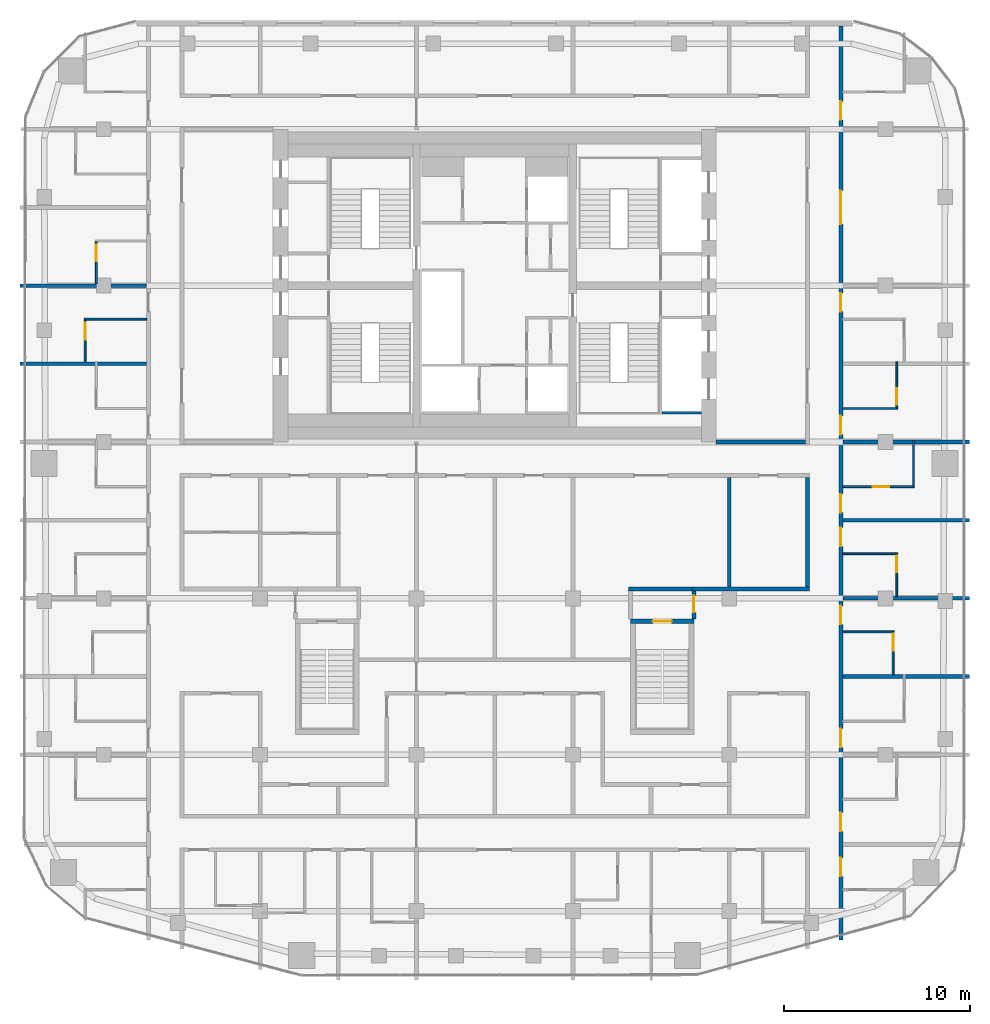
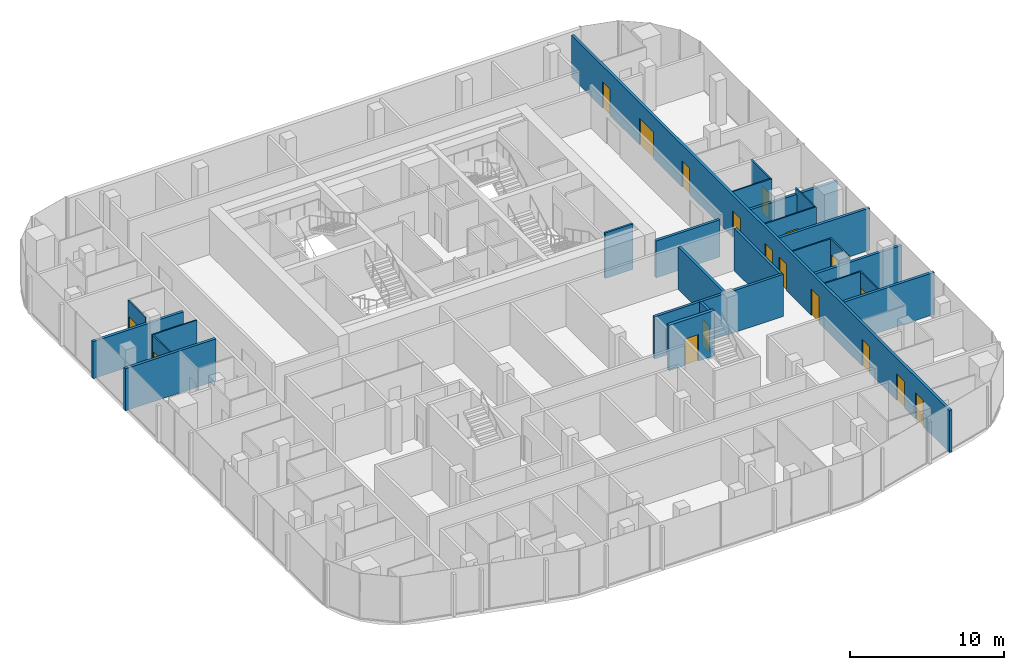
# One storey, part 17 of 22: 26 walls, 18 doors, 18 openings.
"""IFC4 building model written with IfcOpenShell, lengths in metres."""

from ifc_helpers import new_model, si_unit, direction, frame, frame_2d, origin, place, context, subcontext, project, spatial, rectangle, extrude, material, layer, layer_set, type_object, element, fill, save


model = new_model("IFC4")

# Units and contexts
model_context = context("Model", 3, precision=1e-05, world=origin(), true_north=direction((0.0, 1.0)))
body_context = subcontext(model_context, "Body", "Model", "MODEL_VIEW")
ifc_project = project(units=[si_unit("LENGTHUNIT", "METRE"), si_unit("AREAUNIT", "SQUARE_METRE"), si_unit("VOLUMEUNIT", "CUBIC_METRE"), si_unit("PLANEANGLEUNIT", "RADIAN"), si_unit("MASSUNIT", "GRAM", prefix="KILO")], contexts=[model_context])

# Site, building, storey
site_placement = place(None, origin())
site = spatial("IfcSite", under=ifc_project, at=site_placement, CompositionType="ELEMENT")
building_placement = place(site_placement, origin())
building = spatial("IfcBuilding", under=site, at=building_placement, Name="Marenta Gate Hotel Tower", CompositionType="ELEMENT")
storey_placement = place(building_placement, frame((0.0, 0.0, 187.699951171875)))
storey = spatial("IfcBuildingStorey", under=building, at=storey_placement, Name="L42", CompositionType="ELEMENT", Elevation=187.699951171875)

# Walls
ifc_material_1 = material(Name="Concrete blockwork", Category="masonry")
ifc_layer_1 = layer(ifc_material_1, 0.199951171875)
ifc_layer_set_1 = layer_set([ifc_layer_1], Name="Concrete blockwork")
wall_type_1 = type_object("IfcWallType", Name="Core boundary wall 200 REI 180", PredefinedType="PARTITIONING", material=ifc_layer_set_1)
wall_1_placement = place(storey_placement, frame((11.89990234375, 0.0, 0.0), z_axis=(0.0, 0.0, 1.0), x_axis=(1.0, 0.0, 0.0)))
element("IfcWall", 1, at=wall_1_placement, inside=storey, type_object=wall_type_1, Name="L42-CP-EW-ES", PredefinedType="PARTITIONING", context=body_context, shape_type="SweptSolid", body=[
    extrude(rectangle(XDim=4.800048828125, YDim=0.199951171875, at=frame_2d((2.39990234375, 0.0))), origin(), (0.0, 0.0, 1.0), 2.93994140625),
])
ifc_material_2 = material(Name="Concrete C40", Category="concrete")
ifc_layer_2 = layer(ifc_material_2, 0.14990234375)
ifc_layer_set_2 = layer_set([ifc_layer_2], Name="Concrete C40")
wall_type_2 = type_object("IfcWallType", Name="Core shaft wall 150 REI 180", PredefinedType="SHEAR", material=ifc_layer_set_2)
wall_2_placement = place(storey_placement, frame((9.0, 1.574951171875, 0.0), z_axis=(0.0, 0.0, 1.0), x_axis=(1.0, 0.0, 0.0)))
element("IfcWall", 2, at=wall_2_placement, inside=storey, type_object=wall_type_2, Name="L42-SHF-SW-ES-5", PredefinedType="SHEAR", context=body_context, shape_type="SweptSolid", body=[
    extrude(rectangle(XDim=2.10009765625, YDim=0.14990234375, at=frame_2d((1.050048828125, 0.0))), origin(), (0.0, 0.0, 1.0), 3.60009765625),
])

# Wall, opening, door
ifc_material_3 = material(Name="Concrete C40", Category="concrete")
ifc_layer_3 = layer(ifc_material_3, 0.25)
ifc_layer_set_3 = layer_set([ifc_layer_3], Name="Concrete C40")
wall_type_3 = type_object("IfcWallType", Name="Remote stair enclosure wall 250 REI 180", PredefinedType="SHEAR", material=ifc_layer_set_3)
wall_3_placement = place(storey_placement, frame((7.300048828125, -9.625, 0.10009765625), z_axis=(0.0, 0.0, 1.0), x_axis=(1.0, 0.0, 0.0)))
wall_3 = element("IfcWall", 3, at=wall_3_placement, inside=storey, type_object=wall_type_3, Name="L42-RS-Z3-2-W2", PredefinedType="SHEAR", context=body_context, shape_type="SweptSolid", body=[
    extrude(rectangle(XDim=3.39990234375, YDim=0.25, at=frame_2d((1.699951171875, 0.0))), origin(), (0.0, 0.0, 1.0), 3.599853515625),
])
opening_1_placement = place(wall_3_placement, frame((1.199951171875, 0.0, 0.0)))
opening_1 = element("IfcOpeningElement", 4, at=opening_1_placement, cuts=wall_3, Name="Opening VD", PredefinedType="OPENING", context=body_context, shape_type="SweptSolid", body=[
    extrude(rectangle(XDim=1.0, YDim=2.10009765625, at=frame_2d((0.5, 1.050048828125))), frame((0.0, 0.125, 0.0), z_axis=(0.0, -1.0, 0.0), x_axis=(1.0, 0.0, 0.0)), (0.0, 0.0, 1.0), 0.25),
])
ifc_material_4 = material(Name="Steel", Category="steel")
door_type_1 = type_object("IfcDoorType", Name="Stair vestibule door 1000x2100 FD60", OperationType="SINGLE_SWING_LEFT", PredefinedType="DOOR", material=ifc_material_4)
door_1_placement = place(opening_1_placement, origin())
door_1 = element("IfcDoor", 5, at=door_1_placement, inside=storey, type_object=door_type_1, Name="VD", OperationType="SINGLE_SWING_LEFT", OverallHeight=2.10009765625, OverallWidth=1.0, PredefinedType="DOOR", context=body_context, shape_type="SweptSolid", body=[
    extrude(rectangle(XDim=1.0, YDim=2.10009765625, at=frame_2d((0.5, 1.050048828125))), frame((0.0, 0.02490234375, 0.0), z_axis=(0.0, -1.0, 0.0), x_axis=(1.0, 0.0, 0.0)), (0.0, 0.0, 1.0), 0.050048828125),
])
fill(opening_1, door_1)

# Wall, openings, doors
ifc_material_5 = material(Name="Gypsum board on steel stud", Category="steel")
ifc_layer_4 = layer(ifc_material_5, 0.199951171875)
ifc_layer_set_4 = layer_set([ifc_layer_4], Name="Gypsum board on steel stud")
wall_type_4 = type_object("IfcWallType", Name="Room corridor wall 200 EI 60", PredefinedType="PARTITIONING", material=ifc_layer_set_4)
wall_4_placement = place(storey_placement, frame((18.60009765625, -26.7509765625, 0.0), z_axis=(0.0, 0.0, 1.0), x_axis=(0.0, 1.0, 0.0)))
wall_4 = element("IfcWall", 6, at=wall_4_placement, inside=storey, type_object=wall_type_4, Name="L42-PTN-W023", PredefinedType="PARTITIONING", context=body_context, shape_type="SweptSolid", body=[
    extrude(rectangle(XDim=49.091064453125, YDim=0.199951171875, at=frame_2d((24.54541015625, 0.0))), origin(), (0.0, 0.0, 1.0), 3.340087890625),
])
opening_2_placement = place(wall_4_placement, frame((3.4130859375, 0.0, 0.0)))
opening_2 = element("IfcOpeningElement", 7, at=opening_2_placement, cuts=wall_4, Name="Opening G15-18", PredefinedType="OPENING", context=body_context, shape_type="SweptSolid", body=[
    extrude(rectangle(XDim=1.0, YDim=2.10009765625, at=frame_2d((0.5, 1.050048828125))), frame((0.0, 0.10009765625, 0.0), z_axis=(0.0, -1.0, 0.0), x_axis=(1.0, 0.0, 0.0)), (0.0, 0.0, 1.0), 0.199951171875),
])
opening_3_placement = place(wall_4_placement, frame((5.837890625, 0.0, 0.0)))
opening_3 = element("IfcOpeningElement", 8, at=opening_3_placement, cuts=wall_4, Name="Opening G15-20", PredefinedType="OPENING", context=body_context, shape_type="SweptSolid", body=[
    extrude(rectangle(XDim=1.0, YDim=2.10009765625, at=frame_2d((0.5, 1.050048828125))), frame((0.0, 0.10009765625, 0.0), z_axis=(0.0, -1.0, 0.0), x_axis=(1.0, 0.0, 0.0)), (0.0, 0.0, 1.0), 0.199951171875),
])
opening_4_placement = place(wall_4_placement, frame((10.35107421875, 0.0, 0.0)))
opening_4 = element("IfcOpeningElement", 9, at=opening_4_placement, cuts=wall_4, Name="Opening G15-22", PredefinedType="OPENING", context=body_context, shape_type="SweptSolid", body=[
    extrude(rectangle(XDim=1.0, YDim=2.10009765625, at=frame_2d((0.5, 1.050048828125))), frame((0.0, 0.10009765625, 0.0), z_axis=(0.0, -1.0, 0.0), x_axis=(1.0, 0.0, 0.0)), (0.0, 0.0, 1.0), 0.199951171875),
])
opening_5_placement = place(wall_4_placement, frame((16.950927734375, 0.0, 0.0)))
opening_5 = element("IfcOpeningElement", 10, at=opening_5_placement, cuts=wall_4, Name="Opening G15-24", PredefinedType="OPENING", context=body_context, shape_type="SweptSolid", body=[
    extrude(rectangle(XDim=1.0, YDim=2.10009765625, at=frame_2d((0.5, 1.050048828125))), frame((0.0, 0.10009765625, 0.0), z_axis=(0.0, -1.0, 0.0), x_axis=(1.0, 0.0, 0.0)), (0.0, 0.0, 1.0), 0.199951171875),
])
opening_6_placement = place(wall_4_placement, frame((21.15087890625, 0.0, 0.0)))
opening_6 = element("IfcOpeningElement", 11, at=opening_6_placement, cuts=wall_4, Name="Opening G15-26", PredefinedType="OPENING", context=body_context, shape_type="SweptSolid", body=[
    extrude(rectangle(XDim=1.0, YDim=2.10009765625, at=frame_2d((0.5, 1.050048828125))), frame((0.0, 0.10009765625, 0.0), z_axis=(0.0, -1.0, 0.0), x_axis=(1.0, 0.0, 0.0)), (0.0, 0.0, 1.0), 0.199951171875),
])
opening_7_placement = place(wall_4_placement, frame((22.950927734375, 0.0, 0.0)))
opening_7 = element("IfcOpeningElement", 12, at=opening_7_placement, cuts=wall_4, Name="Opening G15-28", PredefinedType="OPENING", context=body_context, shape_type="SweptSolid", body=[
    extrude(rectangle(XDim=1.0, YDim=2.10009765625, at=frame_2d((0.5, 1.050048828125))), frame((0.0, 0.10009765625, 0.0), z_axis=(0.0, -1.0, 0.0), x_axis=(1.0, 0.0, 0.0)), (0.0, 0.0, 1.0), 0.199951171875),
])
opening_8_placement = place(wall_4_placement, frame((27.15087890625, 0.0, 0.0)))
opening_8 = element("IfcOpeningElement", 13, at=opening_8_placement, cuts=wall_4, Name="Opening G15-30", PredefinedType="OPENING", context=body_context, shape_type="SweptSolid", body=[
    extrude(rectangle(XDim=1.0, YDim=2.10009765625, at=frame_2d((0.5, 1.050048828125))), frame((0.0, 0.10009765625, 0.0), z_axis=(0.0, -1.0, 0.0), x_axis=(1.0, 0.0, 0.0)), (0.0, 0.0, 1.0), 0.199951171875),
])
opening_9_placement = place(wall_4_placement, frame((33.7509765625, 0.0, 0.0)))
opening_9 = element("IfcOpeningElement", 14, at=opening_9_placement, cuts=wall_4, Name="Opening G15-32", PredefinedType="OPENING", context=body_context, shape_type="SweptSolid", body=[
    extrude(rectangle(XDim=1.0, YDim=2.10009765625, at=frame_2d((0.5, 1.050048828125))), frame((0.0, 0.10009765625, 0.0), z_axis=(0.0, -1.0, 0.0), x_axis=(1.0, 0.0, 0.0)), (0.0, 0.0, 1.0), 0.199951171875),
])
opening_10_placement = place(wall_4_placement, frame((38.450927734375, 0.0, 0.0)))
opening_10 = element("IfcOpeningElement", 15, at=opening_10_placement, cuts=wall_4, Name="Opening G15-34", PredefinedType="OPENING", context=body_context, shape_type="SweptSolid", body=[
    extrude(rectangle(XDim=1.800048828125, YDim=2.10009765625, at=frame_2d((0.89990234375, 1.050048828125))), frame((0.0, 0.10009765625, 0.0), z_axis=(0.0, -1.0, 0.0), x_axis=(1.0, 0.0, 0.0)), (0.0, 0.0, 1.0), 0.199951171875),
])
opening_11_placement = place(wall_4_placement, frame((44.051025390625, 0.0, 0.0)))
opening_11 = element("IfcOpeningElement", 16, at=opening_11_placement, cuts=wall_4, Name="Opening G15-35", PredefinedType="OPENING", context=body_context, shape_type="SweptSolid", body=[
    extrude(rectangle(XDim=1.0, YDim=2.10009765625, at=frame_2d((0.5, 1.050048828125))), frame((0.0, 0.10009765625, 0.0), z_axis=(0.0, -1.0, 0.0), x_axis=(1.0, 0.0, 0.0)), (0.0, 0.0, 1.0), 0.199951171875),
])
ifc_material_6 = material(Name="Timber door leaf", Category="wood")
door_type_2 = type_object("IfcDoorType", Name="Guest room door 1000x2100 EI 30", OperationType="NOTDEFINED", PredefinedType="DOOR", material=ifc_material_6)
door_2_placement = place(opening_2_placement, origin())
door_2 = element("IfcDoor", 17, at=door_2_placement, inside=storey, type_object=door_type_2, Name="L42-PD-D018", OperationType="SINGLE_SWING_RIGHT", OverallHeight=2.10009765625, OverallWidth=1.0, PredefinedType="DOOR", context=body_context, shape_type="SweptSolid", body=[
    extrude(rectangle(XDim=1.0, YDim=2.10009765625, at=frame_2d((0.5, 1.050048828125))), frame((0.0, 0.02490234375, 0.0), z_axis=(0.0, -1.0, 0.0), x_axis=(1.0, 0.0, 0.0)), (0.0, 0.0, 1.0), 0.050048828125),
])
fill(opening_2, door_2)
door_3_placement = place(opening_3_placement, origin())
door_3 = element("IfcDoor", 18, at=door_3_placement, inside=storey, type_object=door_type_2, Name="L42-PD-D020", OperationType="SINGLE_SWING_RIGHT", OverallHeight=2.10009765625, OverallWidth=1.0, PredefinedType="DOOR", context=body_context, shape_type="SweptSolid", body=[
    extrude(rectangle(XDim=1.0, YDim=2.10009765625, at=frame_2d((0.5, 1.050048828125))), frame((0.0, 0.02490234375, 0.0), z_axis=(0.0, -1.0, 0.0), x_axis=(1.0, 0.0, 0.0)), (0.0, 0.0, 1.0), 0.050048828125),
])
fill(opening_3, door_3)
door_4_placement = place(opening_4_placement, origin())
door_4 = element("IfcDoor", 19, at=door_4_placement, inside=storey, type_object=door_type_2, Name="L42-PD-D022", OperationType="SINGLE_SWING_RIGHT", OverallHeight=2.10009765625, OverallWidth=1.0, PredefinedType="DOOR", context=body_context, shape_type="SweptSolid", body=[
    extrude(rectangle(XDim=1.0, YDim=2.10009765625, at=frame_2d((0.5, 1.050048828125))), frame((0.0, 0.02490234375, 0.0), z_axis=(0.0, -1.0, 0.0), x_axis=(1.0, 0.0, 0.0)), (0.0, 0.0, 1.0), 0.050048828125),
])
fill(opening_4, door_4)
door_5_placement = place(opening_5_placement, origin())
door_5 = element("IfcDoor", 20, at=door_5_placement, inside=storey, type_object=door_type_2, Name="L42-PD-D024", OperationType="SINGLE_SWING_RIGHT", OverallHeight=2.10009765625, OverallWidth=1.0, PredefinedType="DOOR", context=body_context, shape_type="SweptSolid", body=[
    extrude(rectangle(XDim=1.0, YDim=2.10009765625, at=frame_2d((0.5, 1.050048828125))), frame((0.0, 0.02490234375, 0.0), z_axis=(0.0, -1.0, 0.0), x_axis=(1.0, 0.0, 0.0)), (0.0, 0.0, 1.0), 0.050048828125),
])
fill(opening_5, door_5)
door_6_placement = place(opening_6_placement, origin())
door_6 = element("IfcDoor", 21, at=door_6_placement, inside=storey, type_object=door_type_2, Name="L42-PD-D026", OperationType="SINGLE_SWING_RIGHT", OverallHeight=2.10009765625, OverallWidth=1.0, PredefinedType="DOOR", context=body_context, shape_type="SweptSolid", body=[
    extrude(rectangle(XDim=1.0, YDim=2.10009765625, at=frame_2d((0.5, 1.050048828125))), frame((0.0, 0.02490234375, 0.0), z_axis=(0.0, -1.0, 0.0), x_axis=(1.0, 0.0, 0.0)), (0.0, 0.0, 1.0), 0.050048828125),
])
fill(opening_6, door_6)
door_7_placement = place(opening_7_placement, origin())
door_7 = element("IfcDoor", 22, at=door_7_placement, inside=storey, type_object=door_type_2, Name="L42-PD-D028", OperationType="SINGLE_SWING_RIGHT", OverallHeight=2.10009765625, OverallWidth=1.0, PredefinedType="DOOR", context=body_context, shape_type="SweptSolid", body=[
    extrude(rectangle(XDim=1.0, YDim=2.10009765625, at=frame_2d((0.5, 1.050048828125))), frame((0.0, 0.02490234375, 0.0), z_axis=(0.0, -1.0, 0.0), x_axis=(1.0, 0.0, 0.0)), (0.0, 0.0, 1.0), 0.050048828125),
])
fill(opening_7, door_7)
door_8_placement = place(opening_8_placement, origin())
door_8 = element("IfcDoor", 23, at=door_8_placement, inside=storey, type_object=door_type_2, Name="L42-PD-D030", OperationType="SINGLE_SWING_RIGHT", OverallHeight=2.10009765625, OverallWidth=1.0, PredefinedType="DOOR", context=body_context, shape_type="SweptSolid", body=[
    extrude(rectangle(XDim=1.0, YDim=2.10009765625, at=frame_2d((0.5, 1.050048828125))), frame((0.0, 0.02490234375, 0.0), z_axis=(0.0, -1.0, 0.0), x_axis=(1.0, 0.0, 0.0)), (0.0, 0.0, 1.0), 0.050048828125),
])
fill(opening_8, door_8)
door_9_placement = place(opening_9_placement, origin())
door_9 = element("IfcDoor", 24, at=door_9_placement, inside=storey, type_object=door_type_2, Name="L42-PD-D032", OperationType="SINGLE_SWING_RIGHT", OverallHeight=2.10009765625, OverallWidth=1.0, PredefinedType="DOOR", context=body_context, shape_type="SweptSolid", body=[
    extrude(rectangle(XDim=1.0, YDim=2.10009765625, at=frame_2d((0.5, 1.050048828125))), frame((0.0, 0.02490234375, 0.0), z_axis=(0.0, -1.0, 0.0), x_axis=(1.0, 0.0, 0.0)), (0.0, 0.0, 1.0), 0.050048828125),
])
fill(opening_9, door_9)
door_10_placement = place(opening_11_placement, origin())
door_10 = element("IfcDoor", 25, at=door_10_placement, inside=storey, type_object=door_type_2, Name="L42-PD-D035", OperationType="SINGLE_SWING_LEFT", OverallHeight=2.10009765625, OverallWidth=1.0, PredefinedType="DOOR", context=body_context, shape_type="SweptSolid", body=[
    extrude(rectangle(XDim=1.0, YDim=2.10009765625, at=frame_2d((0.5, 1.050048828125))), frame((0.0, 0.02490234375, 0.0), z_axis=(0.0, -1.0, 0.0), x_axis=(1.0, 0.0, 0.0)), (0.0, 0.0, 1.0), 0.050048828125),
])
fill(opening_11, door_10)
ifc_material_7 = material(Name="Timber door leaf", Category="wood")
door_type_3 = type_object("IfcDoorType", Name="Room amenity door 1800x2100 EI 30", OperationType="DOUBLE_DOOR_SINGLE_SWING", PredefinedType="DOOR", material=ifc_material_7)
door_11_placement = place(opening_10_placement, origin())
door_11 = element("IfcDoor", 26, at=door_11_placement, inside=storey, type_object=door_type_3, Name="L42-PD-D034", OperationType="DOUBLE_DOOR_SINGLE_SWING", OverallHeight=2.10009765625, OverallWidth=1.800048828125, PredefinedType="DOOR", context=body_context, shape_type="SweptSolid", body=[
    extrude(rectangle(XDim=1.800048828125, YDim=2.10009765625, at=frame_2d((0.89990234375, 1.050048828125))), frame((0.0, 0.02490234375, 0.0), z_axis=(0.0, -1.0, 0.0), x_axis=(1.0, 0.0, 0.0)), (0.0, 0.0, 1.0), 0.050048828125),
])
fill(opening_10, door_11)

# Walls
wall_5_placement = place(storey_placement, frame((16.800048828125, -7.800048828125, 0.0), z_axis=(0.0, 0.0, 1.0), x_axis=(0.0, 1.0, 0.0)))
element("IfcWall", 27, at=wall_5_placement, inside=storey, type_object=wall_type_4, Name="L42-PTN-W028", PredefinedType="PARTITIONING", context=body_context, shape_type="SweptSolid", body=[
    extrude(rectangle(XDim=5.900146484375, YDim=0.199951171875, at=frame_2d((2.9501953125, 0.0))), origin(), (0.0, 0.0, 1.0), 3.340087890625),
])
wall_6_placement = place(storey_placement, frame((10.60009765625, -7.89990234375, 0.0), z_axis=(0.0, 0.0, 1.0), x_axis=(1.0, 0.0, 0.0)))
element("IfcWall", 28, at=wall_6_placement, inside=storey, type_object=wall_type_4, Name="L42-PTN-W054", PredefinedType="PARTITIONING", context=body_context, shape_type="SweptSolid", body=[
    extrude(rectangle(XDim=6.2998046875, YDim=0.199951171875, at=frame_2d((3.14990234375, 0.0))), origin(), (0.0, 0.0, 1.0), 3.340087890625),
])

# Wall, opening, door
ifc_material_8 = material(Name="Concrete blockwork", Category="masonry")
ifc_layer_5 = layer(ifc_material_8, 0.199951171875)
ifc_layer_set_5 = layer_set([ifc_layer_5], Name="Concrete blockwork")
wall_type_5 = type_object("IfcWallType", Name="Room corridor wall 200 REI 180", PredefinedType="PARTITIONING", material=ifc_layer_set_5)
wall_7_placement = place(storey_placement, frame((10.699951171875, -9.5, 0.0), z_axis=(0.0, 0.0, 1.0), x_axis=(0.0, 1.0, 0.0)))
wall_7 = element("IfcWall", 29, at=wall_7_placement, inside=storey, type_object=wall_type_5, Name="L42-PTN-W046", PredefinedType="PARTITIONING", context=body_context, shape_type="SweptSolid", body=[
    extrude(rectangle(XDim=1.5, YDim=0.199951171875, at=frame_2d((0.75, 0.0))), origin(), (0.0, 0.0, 1.0), 3.340087890625),
])
opening_12_placement = place(wall_7_placement, frame((0.35009765625, 0.0, 0.0)))
opening_12 = element("IfcOpeningElement", 30, at=opening_12_placement, cuts=wall_7, Name="Opening G15-77", PredefinedType="OPENING", context=body_context, shape_type="SweptSolid", body=[
    extrude(rectangle(XDim=0.89990234375, YDim=2.10009765625, at=frame_2d((0.449951171875, 1.050048828125))), frame((0.0, 0.10009765625, 0.0), z_axis=(0.0, -1.0, 0.0), x_axis=(1.0, 0.0, 0.0)), (0.0, 0.0, 1.0), 0.199951171875),
])
ifc_material_9 = material(Name="Hollow steel door set", Category="steel")
door_type_4 = type_object("IfcDoorType", Name="Stair vestibule door 900x2100 EI 60", OperationType="NOTDEFINED", PredefinedType="DOOR", material=ifc_material_9)
door_12_placement = place(opening_12_placement, origin())
door_12 = element("IfcDoor", 31, at=door_12_placement, inside=storey, type_object=door_type_4, Name="L42-PD-D077", OperationType="SINGLE_SWING_RIGHT", OverallHeight=2.10009765625, OverallWidth=0.89990234375, PredefinedType="DOOR", context=body_context, shape_type="SweptSolid", body=[
    extrude(rectangle(XDim=0.89990234375, YDim=2.10009765625, at=frame_2d((0.449951171875, 1.050048828125))), frame((0.0, 0.02490234375, 0.0), z_axis=(0.0, -1.0, 0.0), x_axis=(1.0, 0.0, 0.0)), (0.0, 0.0, 1.0), 0.050048828125),
])
fill(opening_12, door_12)

# Wall
ifc_material_10 = material(Name="Gypsum board on steel stud", Category="steel")
ifc_layer_6 = layer(ifc_material_10, 0.10009765625)
ifc_layer_set_6 = layer_set([ifc_layer_6], Name="Gypsum board on steel stud")
wall_type_6 = type_object("IfcWallType", Name="Room partition 100", PredefinedType="PARTITIONING", material=ifc_layer_set_6)
wall_8_placement = place(storey_placement, frame((22.5, -2.35009765625, 0.0), z_axis=(0.0, 0.0, 1.0), x_axis=(0.0, 1.0, 0.0)))
element("IfcWall", 32, at=wall_8_placement, inside=storey, type_object=wall_type_6, Name="L42-PTN-W008", PredefinedType="PARTITIONING", context=body_context, shape_type="SweptSolid", body=[
    extrude(rectangle(XDim=2.4501953125, YDim=0.10009765625, at=frame_2d((1.22509765625, 0.0))), origin(), (0.0, 0.0, 1.0), 3.340087890625),
])

# Wall, opening, door
wall_9_placement = place(storey_placement, frame((21.60009765625, -8.300048828125, 0.0), z_axis=(0.0, 0.0, 1.0), x_axis=(0.0, 1.0, 0.0)))
wall_9 = element("IfcWall", 33, at=wall_9_placement, inside=storey, type_object=wall_type_6, Name="L42-PTN-W017", PredefinedType="PARTITIONING", context=body_context, shape_type="SweptSolid", body=[
    extrude(rectangle(XDim=2.35009765625, YDim=0.10009765625, at=frame_2d((1.175048828125, 0.0))), origin(), (0.0, 0.0, 1.0), 3.340087890625),
])
opening_13_placement = place(wall_9_placement, frame((1.300048828125, 0.0, 0.0)))
opening_13 = element("IfcOpeningElement", 34, at=opening_13_placement, cuts=wall_9, Name="Opening G15-27", PredefinedType="OPENING", context=body_context, shape_type="SweptSolid", body=[
    extrude(rectangle(XDim=0.89990234375, YDim=2.10009765625, at=frame_2d((0.449951171875, 1.050048828125))), frame((0.0, 0.050048828125, 0.0), z_axis=(0.0, -1.0, 0.0), x_axis=(1.0, 0.0, 0.0)), (0.0, 0.0, 1.0), 0.10009765625),
])
ifc_material_11 = material(Name="Timber door leaf", Category="wood")
door_type_5 = type_object("IfcDoorType", Name="Guest bathroom door 900x2100", OperationType="NOTDEFINED", PredefinedType="DOOR", material=ifc_material_11)
door_13_placement = place(opening_13_placement, origin())
door_13 = element("IfcDoor", 35, at=door_13_placement, inside=storey, type_object=door_type_5, Name="L42-PD-D027", OperationType="SINGLE_SWING_RIGHT", OverallHeight=2.10009765625, OverallWidth=0.89990234375, PredefinedType="DOOR", context=body_context, shape_type="SweptSolid", body=[
    extrude(rectangle(XDim=0.89990234375, YDim=2.10009765625, at=frame_2d((0.449951171875, 1.050048828125))), frame((0.0, 0.02490234375, 0.0), z_axis=(0.0, -1.0, 0.0), x_axis=(1.0, 0.0, 0.0)), (0.0, 0.0, 1.0), 0.050048828125),
])
fill(opening_13, door_13)

wall_10_placement = place(storey_placement, frame((21.60009765625, 1.85009765625, 0.0), z_axis=(0.0, 0.0, 1.0), x_axis=(0.0, 1.0, 0.0)))
wall_10 = element("IfcWall", 36, at=wall_10_placement, inside=storey, type_object=wall_type_6, Name="L42-PTN-W018", PredefinedType="PARTITIONING", context=body_context, shape_type="SweptSolid", body=[
    extrude(rectangle(XDim=2.449951171875, YDim=0.10009765625, at=frame_2d((1.22509765625, 0.0))), origin(), (0.0, 0.0, 1.0), 3.340087890625),
])
opening_14_placement = place(wall_10_placement, frame((0.14990234375, 0.0, 0.0)))
opening_14 = element("IfcOpeningElement", 37, at=opening_14_placement, cuts=wall_10, Name="Opening G15-31", PredefinedType="OPENING", context=body_context, shape_type="SweptSolid", body=[
    extrude(rectangle(XDim=0.89990234375, YDim=2.10009765625, at=frame_2d((0.449951171875, 1.050048828125))), frame((0.0, 0.050048828125, 0.0), z_axis=(0.0, -1.0, 0.0), x_axis=(1.0, 0.0, 0.0)), (0.0, 0.0, 1.0), 0.10009765625),
])
door_14_placement = place(opening_14_placement, origin())
door_14 = element("IfcDoor", 38, at=door_14_placement, inside=storey, type_object=door_type_5, Name="L42-PD-D031", OperationType="SINGLE_SWING_LEFT", OverallHeight=2.10009765625, OverallWidth=0.89990234375, PredefinedType="DOOR", context=body_context, shape_type="SweptSolid", body=[
    extrude(rectangle(XDim=0.89990234375, YDim=2.10009765625, at=frame_2d((0.449951171875, 1.050048828125))), frame((0.0, 0.02490234375, 0.0), z_axis=(0.0, -1.0, 0.0), x_axis=(1.0, 0.0, 0.0)), (0.0, 0.0, 1.0), 0.050048828125),
])
fill(opening_14, door_14)

wall_11_placement = place(storey_placement, frame((21.39990234375, -12.5, 0.0), z_axis=(0.0, 0.0, 1.0), x_axis=(0.0, 1.0, 0.0)))
wall_11 = element("IfcWall", 39, at=wall_11_placement, inside=storey, type_object=wall_type_6, Name="L42-PTN-W019", PredefinedType="PARTITIONING", context=body_context, shape_type="SweptSolid", body=[
    extrude(rectangle(XDim=2.35009765625, YDim=0.10009765625, at=frame_2d((1.175048828125, 0.0))), origin(), (0.0, 0.0, 1.0), 3.340087890625),
])
opening_15_placement = place(wall_11_placement, frame((1.300048828125, 0.0, 0.0)))
opening_15 = element("IfcOpeningElement", 40, at=opening_15_placement, cuts=wall_11, Name="Opening G15-25", PredefinedType="OPENING", context=body_context, shape_type="SweptSolid", body=[
    extrude(rectangle(XDim=0.89990234375, YDim=2.10009765625, at=frame_2d((0.449951171875, 1.050048828125))), frame((0.0, 0.050048828125, 0.0), z_axis=(0.0, -1.0, 0.0), x_axis=(1.0, 0.0, 0.0)), (0.0, 0.0, 1.0), 0.10009765625),
])
door_15_placement = place(opening_15_placement, origin())
door_15 = element("IfcDoor", 41, at=door_15_placement, inside=storey, type_object=door_type_5, Name="L42-PD-D025", OperationType="SINGLE_SWING_RIGHT", OverallHeight=2.10009765625, OverallWidth=0.89990234375, PredefinedType="DOOR", context=body_context, shape_type="SweptSolid", body=[
    extrude(rectangle(XDim=0.89990234375, YDim=2.10009765625, at=frame_2d((0.449951171875, 1.050048828125))), frame((0.0, 0.02490234375, 0.0), z_axis=(0.0, -1.0, 0.0), x_axis=(1.0, 0.0, 0.0)), (0.0, 0.0, 1.0), 0.050048828125),
])
fill(opening_15, door_15)

# Walls
wall_12_placement = place(storey_placement, frame((18.699951171875, -10.199951171875, 0.0), z_axis=(0.0, 0.0, 1.0), x_axis=(1.0, 0.0, 0.0)))
element("IfcWall", 42, at=wall_12_placement, inside=storey, type_object=wall_type_6, Name="L42-PTN-W048", PredefinedType="PARTITIONING", context=body_context, shape_type="SweptSolid", body=[
    extrude(rectangle(XDim=2.650146484375, YDim=0.10009765625, at=frame_2d((1.3251953125, 0.0))), origin(), (0.0, 0.0, 1.0), 3.340087890625),
])
wall_13_placement = place(storey_placement, frame((18.699951171875, -6.0, 0.0), z_axis=(0.0, 0.0, 1.0), x_axis=(1.0, 0.0, 0.0)))
element("IfcWall", 43, at=wall_13_placement, inside=storey, type_object=wall_type_6, Name="L42-PTN-W060", PredefinedType="PARTITIONING", context=body_context, shape_type="SweptSolid", body=[
    extrude(rectangle(XDim=2.85009765625, YDim=0.10009765625, at=frame_2d((1.425048828125, 0.0))), origin(), (0.0, 0.0, 1.0), 3.340087890625),
])

# Wall, opening, door
wall_14_placement = place(storey_placement, frame((18.699951171875, -2.39990234375, 0.0), z_axis=(0.0, 0.0, 1.0), x_axis=(1.0, 0.0, 0.0)))
wall_14 = element("IfcWall", 44, at=wall_14_placement, inside=storey, type_object=wall_type_6, Name="L42-PTN-W071", PredefinedType="PARTITIONING", context=body_context, shape_type="SweptSolid", body=[
    extrude(rectangle(XDim=3.85009765625, YDim=0.10009765625, at=frame_2d((1.925048828125, 0.0))), origin(), (0.0, 0.0, 1.0), 3.340087890625),
])
opening_16_placement = place(wall_14_placement, frame((1.594970703125, 0.0, 0.0)))
opening_16 = element("IfcOpeningElement", 45, at=opening_16_placement, cuts=wall_14, Name="Opening G15-29", PredefinedType="OPENING", context=body_context, shape_type="SweptSolid", body=[
    extrude(rectangle(XDim=0.89990234375, YDim=2.10009765625, at=frame_2d((0.449951171875, 1.050048828125))), frame((0.0, 0.050048828125, 0.0), z_axis=(0.0, -1.0, 0.0), x_axis=(1.0, 0.0, 0.0)), (0.0, 0.0, 1.0), 0.10009765625),
])
door_16_placement = place(opening_16_placement, origin())
door_16 = element("IfcDoor", 46, at=door_16_placement, inside=storey, type_object=door_type_5, Name="L42-PD-D029", OperationType="SINGLE_SWING_RIGHT", OverallHeight=2.10009765625, OverallWidth=0.89990234375, PredefinedType="DOOR", context=body_context, shape_type="SweptSolid", body=[
    extrude(rectangle(XDim=0.89990234375, YDim=2.10009765625, at=frame_2d((0.449951171875, 1.050048828125))), frame((0.0, 0.02490234375, 0.0), z_axis=(0.0, -1.0, 0.0), x_axis=(1.0, 0.0, 0.0)), (0.0, 0.0, 1.0), 0.050048828125),
])
fill(opening_16, door_16)

# Walls
wall_15_placement = place(storey_placement, frame((18.699951171875, 1.800048828125, 0.0), z_axis=(0.0, 0.0, 1.0), x_axis=(1.0, 0.0, 0.0)))
element("IfcWall", 47, at=wall_15_placement, inside=storey, type_object=wall_type_6, Name="L42-PTN-W078", PredefinedType="PARTITIONING", context=body_context, shape_type="SweptSolid", body=[
    extrude(rectangle(XDim=2.949951171875, YDim=0.10009765625, at=frame_2d((1.47509765625, 0.0))), origin(), (0.0, 0.0, 1.0), 3.340087890625),
])
wall_16_placement = place(storey_placement, frame((-22.050048828125, 6.60009765625, 0.0), z_axis=(0.0, 0.0, 1.0), x_axis=(1.0, 0.0, 0.0)))
element("IfcWall", 48, at=wall_16_placement, inside=storey, type_object=wall_type_6, Name="L42-PTN-W087", PredefinedType="PARTITIONING", context=body_context, shape_type="SweptSolid", body=[
    extrude(rectangle(XDim=3.35009765625, YDim=0.10009765625, at=frame_2d((1.675048828125, 0.0))), origin(), (0.0, 0.0, 1.0), 3.340087890625),
])

# Wall, opening, door
wall_17_placement = place(storey_placement, frame((-21.39990234375, 8.5, 0.0), z_axis=(0.0, 0.0, 1.0), x_axis=(0.0, 1.0, 0.0)))
wall_17 = element("IfcWall", 49, at=wall_17_placement, inside=storey, type_object=wall_type_6, Name="L42-PTN-W118", PredefinedType="PARTITIONING", context=body_context, shape_type="SweptSolid", body=[
    extrude(rectangle(XDim=2.25, YDim=0.10009765625, at=frame_2d((1.125, 0.0))), origin(), (0.0, 0.0, 1.0), 3.340087890625),
])
opening_17_placement = place(wall_17_placement, frame((1.199951171875, 0.0, 0.0)))
opening_17 = element("IfcOpeningElement", 50, at=opening_17_placement, cuts=wall_17, Name="Opening G15-71", PredefinedType="OPENING", context=body_context, shape_type="SweptSolid", body=[
    extrude(rectangle(XDim=0.89990234375, YDim=2.10009765625, at=frame_2d((0.449951171875, 1.050048828125))), frame((0.0, 0.050048828125, 0.0), z_axis=(0.0, -1.0, 0.0), x_axis=(1.0, 0.0, 0.0)), (0.0, 0.0, 1.0), 0.10009765625),
])
door_17_placement = place(opening_17_placement, origin())
door_17 = element("IfcDoor", 51, at=door_17_placement, inside=storey, type_object=door_type_5, Name="L42-PD-D071", OperationType="SINGLE_SWING_LEFT", OverallHeight=2.10009765625, OverallWidth=0.89990234375, PredefinedType="DOOR", context=body_context, shape_type="SweptSolid", body=[
    extrude(rectangle(XDim=0.89990234375, YDim=2.10009765625, at=frame_2d((0.449951171875, 1.050048828125))), frame((0.0, 0.02490234375, 0.0), z_axis=(0.0, -1.0, 0.0), x_axis=(1.0, 0.0, 0.0)), (0.0, 0.0, 1.0), 0.050048828125),
])
fill(opening_17, door_17)

wall_18_placement = place(storey_placement, frame((-22.0, 4.300048828125, 0.0), z_axis=(0.0, 0.0, 1.0), x_axis=(0.0, 1.0, 0.0)))
wall_18 = element("IfcWall", 52, at=wall_18_placement, inside=storey, type_object=wall_type_6, Name="L42-PTN-W121", PredefinedType="PARTITIONING", context=body_context, shape_type="SweptSolid", body=[
    extrude(rectangle(XDim=2.25, YDim=0.10009765625, at=frame_2d((1.125, 0.0))), origin(), (0.0, 0.0, 1.0), 3.340087890625),
])
opening_18_placement = place(wall_18_placement, frame((1.199951171875, 0.0, 0.0)))
opening_18 = element("IfcOpeningElement", 53, at=opening_18_placement, cuts=wall_18, Name="Opening G15-69", PredefinedType="OPENING", context=body_context, shape_type="SweptSolid", body=[
    extrude(rectangle(XDim=0.89990234375, YDim=2.10009765625, at=frame_2d((0.449951171875, 1.050048828125))), frame((0.0, 0.050048828125, 0.0), z_axis=(0.0, -1.0, 0.0), x_axis=(1.0, 0.0, 0.0)), (0.0, 0.0, 1.0), 0.10009765625),
])
door_18_placement = place(opening_18_placement, origin())
door_18 = element("IfcDoor", 54, at=door_18_placement, inside=storey, type_object=door_type_5, Name="L42-PD-D069", OperationType="SINGLE_SWING_LEFT", OverallHeight=2.10009765625, OverallWidth=0.89990234375, PredefinedType="DOOR", context=body_context, shape_type="SweptSolid", body=[
    extrude(rectangle(XDim=0.89990234375, YDim=2.10009765625, at=frame_2d((0.449951171875, 1.050048828125))), frame((0.0, 0.02490234375, 0.0), z_axis=(0.0, -1.0, 0.0), x_axis=(1.0, 0.0, 0.0)), (0.0, 0.0, 1.0), 0.050048828125),
])
fill(opening_18, door_18)

# Walls
ifc_material_12 = material(Name="Gypsum board on steel stud", Category="steel")
ifc_layer_7 = layer(ifc_material_12, 0.199951171875)
ifc_layer_set_7 = layer_set([ifc_layer_7], Name="Gypsum board on steel stud")
wall_type_7 = type_object("IfcWallType", Name="Room party wall 200 EI 60", PredefinedType="PARTITIONING", material=ifc_layer_set_7)
wall_19_placement = place(storey_placement, frame((12.60009765625, -7.800048828125, 0.0), z_axis=(0.0, 0.0, 1.0), x_axis=(0.0, 1.0, 0.0)))
element("IfcWall", 55, at=wall_19_placement, inside=storey, type_object=wall_type_7, Name="L42-PTN-W040", PredefinedType="PARTITIONING", context=body_context, shape_type="SweptSolid", body=[
    extrude(rectangle(XDim=5.900146484375, YDim=0.199951171875, at=frame_2d((2.9501953125, 0.0))), origin(), (0.0, 0.0, 1.0), 3.340087890625),
])
wall_20_placement = place(storey_placement, frame((18.699951171875, -12.60009765625, 0.0), z_axis=(0.0, 0.0, 1.0), x_axis=(1.0, 0.0, 0.0)))
element("IfcWall", 56, at=wall_20_placement, inside=storey, type_object=wall_type_7, Name="L42-PTN-W044", PredefinedType="PARTITIONING", context=body_context, shape_type="SweptSolid", body=[
    extrude(rectangle(XDim=6.800048828125, YDim=0.199951171875, at=frame_2d((3.39990234375, 0.0))), origin(), (0.0, 0.0, 1.0), 3.340087890625),
])
wall_21_placement = place(storey_placement, frame((18.699951171875, -8.39990234375, 0.0), z_axis=(0.0, 0.0, 1.0), x_axis=(1.0, 0.0, 0.0)))
element("IfcWall", 57, at=wall_21_placement, inside=storey, type_object=wall_type_7, Name="L42-PTN-W052", PredefinedType="PARTITIONING", context=body_context, shape_type="SweptSolid", body=[
    extrude(rectangle(XDim=6.800048828125, YDim=0.199951171875, at=frame_2d((3.39990234375, 0.0))), origin(), (0.0, 0.0, 1.0), 2.93994140625),
])
wall_22_placement = place(storey_placement, frame((18.699951171875, -4.199951171875, 0.0), z_axis=(0.0, 0.0, 1.0), x_axis=(1.0, 0.0, 0.0)))
element("IfcWall", 58, at=wall_22_placement, inside=storey, type_object=wall_type_7, Name="L42-PTN-W069", PredefinedType="PARTITIONING", context=body_context, shape_type="SweptSolid", body=[
    extrude(rectangle(XDim=6.800048828125, YDim=0.199951171875, at=frame_2d((3.39990234375, 0.0))), origin(), (0.0, 0.0, 1.0), 3.340087890625),
])
wall_23_placement = place(storey_placement, frame((18.699951171875, 0.0, 0.0), z_axis=(0.0, 0.0, 1.0), x_axis=(1.0, 0.0, 0.0)))
element("IfcWall", 59, at=wall_23_placement, inside=storey, type_object=wall_type_7, Name="L42-PTN-W076", PredefinedType="PARTITIONING", context=body_context, shape_type="SweptSolid", body=[
    extrude(rectangle(XDim=6.800048828125, YDim=0.199951171875, at=frame_2d((3.39990234375, 0.0))), origin(), (0.0, 0.0, 1.0), 2.93994140625),
])
wall_24_placement = place(storey_placement, frame((-25.5, 4.199951171875, 0.0), z_axis=(0.0, 0.0, 1.0), x_axis=(1.0, 0.0, 0.0)))
element("IfcWall", 60, at=wall_24_placement, inside=storey, type_object=wall_type_7, Name="L42-PTN-W083", PredefinedType="PARTITIONING", context=body_context, shape_type="SweptSolid", body=[
    extrude(rectangle(XDim=6.800048828125, YDim=0.199951171875, at=frame_2d((3.39990234375, 0.0))), origin(), (0.0, 0.0, 1.0), 3.340087890625),
])
wall_25_placement = place(storey_placement, frame((-25.5, 8.39990234375, 0.0), z_axis=(0.0, 0.0, 1.0), x_axis=(1.0, 0.0, 0.0)))
element("IfcWall", 61, at=wall_25_placement, inside=storey, type_object=wall_type_7, Name="L42-PTN-W093", PredefinedType="PARTITIONING", context=body_context, shape_type="SweptSolid", body=[
    extrude(rectangle(XDim=6.800048828125, YDim=0.199951171875, at=frame_2d((3.39990234375, 0.0))), origin(), (0.0, 0.0, 1.0), 2.93994140625),
])
ifc_material_13 = material(Name="Concrete blockwork", Category="masonry")
ifc_layer_8 = layer(ifc_material_13, 0.199951171875)
ifc_layer_set_8 = layer_set([ifc_layer_8], Name="Concrete blockwork")
wall_type_8 = type_object("IfcWallType", Name="Room party wall 200 REI 180", PredefinedType="PARTITIONING", material=ifc_layer_set_8)
wall_26_placement = place(storey_placement, frame((7.199951171875, -7.89990234375, 0.0), z_axis=(0.0, 0.0, 1.0), x_axis=(1.0, 0.0, 0.0)))
element("IfcWall", 62, at=wall_26_placement, inside=storey, type_object=wall_type_8, Name="L42-PTN-W056", PredefinedType="PARTITIONING", context=body_context, shape_type="SweptSolid", body=[
    extrude(rectangle(XDim=3.400146484375, YDim=0.199951171875, at=frame_2d((1.7001953125, 0.0))), origin(), (0.0, 0.0, 1.0), 3.340087890625),
])

save(model, "model.ifc")
